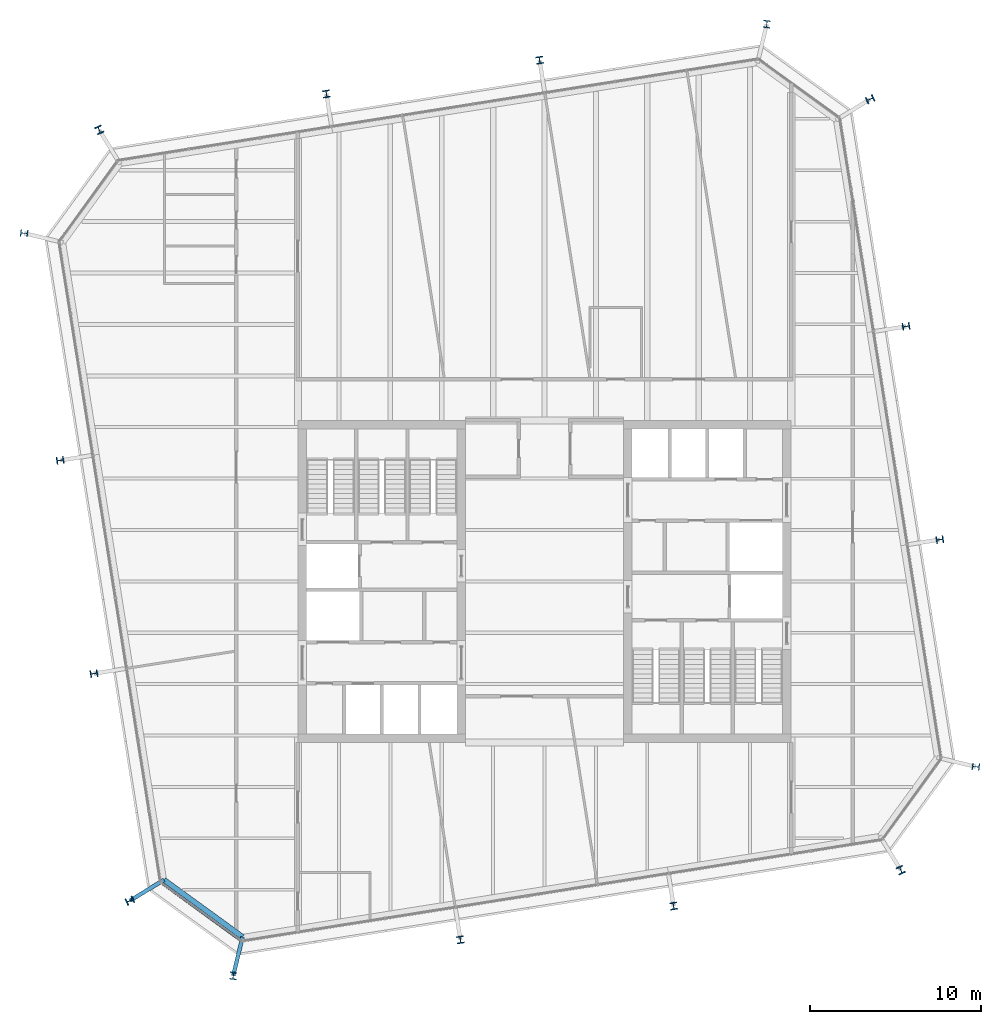
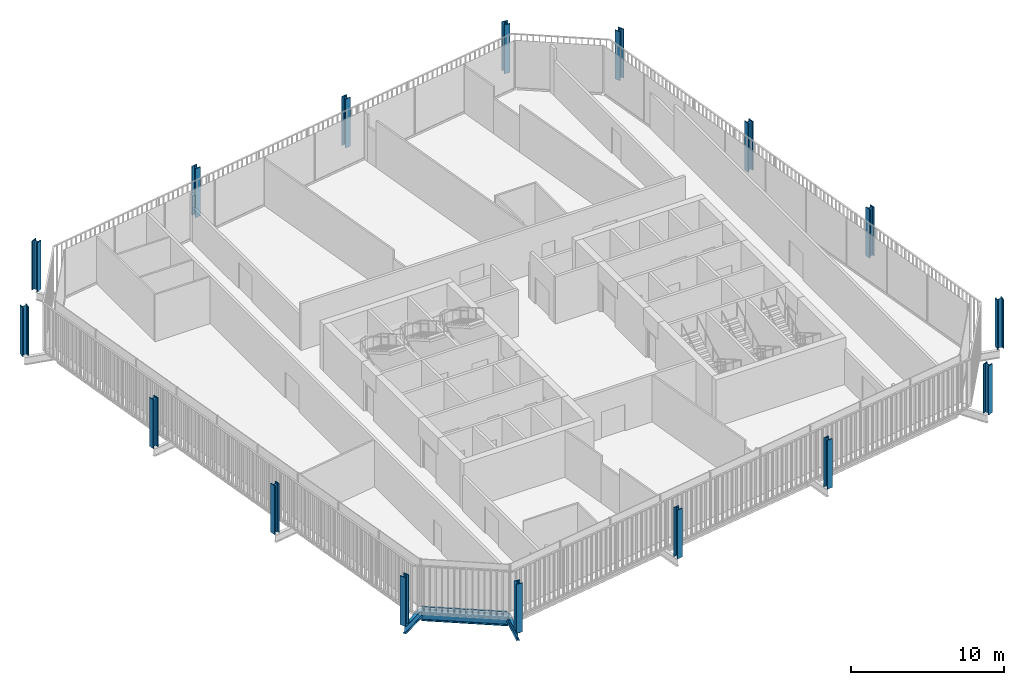
# One storey, part 1 of 20: 16 columns, 3 beams, 1 member, 1 element without a shape of its own.
"""IFC4 building model written with IfcOpenShell, lengths in metres."""

from ifc_helpers import new_model, si_unit, direction, frame, origin, origin_2d, place, context, subcontext, project, spatial, rectangle, i_section, extrude, material, layer, layer_set, material_profile, profile_set, type_object, element, aggregate, save


model = new_model("IFC4")

# Units and contexts
model_context = context("Model", 3, precision=1e-05, world=origin(), true_north=direction((0.0, 1.0)))
body_context = subcontext(model_context, "Body", "Model", "MODEL_VIEW")
ifc_project = project(units=[si_unit("LENGTHUNIT", "METRE"), si_unit("AREAUNIT", "SQUARE_METRE"), si_unit("VOLUMEUNIT", "CUBIC_METRE"), si_unit("PLANEANGLEUNIT", "RADIAN"), si_unit("MASSUNIT", "GRAM", prefix="KILO")], contexts=[model_context])

# Site, building, storey
site_placement = place(None, origin())
site = spatial("IfcSite", under=ifc_project, at=site_placement, CompositionType="ELEMENT")
building_placement = place(site_placement, origin())
building = spatial("IfcBuilding", under=site, at=building_placement, Name="Millrace Tower", CompositionType="ELEMENT")
storey_placement = place(building_placement, frame((0.0, 0.0, 251.300048828125)))
storey = spatial("IfcBuildingStorey", under=building, at=storey_placement, Name="L57", CompositionType="ELEMENT", Elevation=251.300048828125)

# Columns
ifc_material_1 = material(Name="Steel ASTM A913 Grade 65", Category="steel")
ifc_material_profile_1 = material_profile(ifc_material_1, i_section(OverallWidth=0.408935546875, OverallDepth=0.424072265625, WebThickness=0.03271484375, FlangeThickness=0.052490234375, FilletRadius=0.01513671875, at=origin_2d()))
ifc_profile_set_1 = profile_set([ifc_material_profile_1], Name="Steel ASTM A913 Grade 65")
column_type_1 = type_object("IfcColumnType", Name="Exoskeleton column W14x283", PredefinedType="COLUMN", material=ifc_profile_set_1)
for number, where, z_axis, x_axis, name in (
    (1, (-4.91162109375, -20.927734375, 0.0), (0.0, 0.0, 1.0), (0.987688341035, 0.156434462265, 0.0), "COL-D-L57-X03"),
    (2, (7.533203125, -18.956787109375, 0.0), (0.0, 0.0, 1.0), (0.987688341035, 0.156434462265, 0.0), "COL-D-L57-X04"),
    (3, (23.07763671875, 2.4384765625, 0.0), (0.0, 0.0, 1.0), (-0.156434462265, 0.987688341035, 0.0), "COL-D-L57-X07"),
    (4, (21.106689453125, 14.88330078125, 0.0), (0.0, 0.0, 1.0), (-0.156434462265, 0.987688341035, 0.0), "COL-D-L57-X08"),
    (5, (-0.288330078125, 30.427734375, 0.0), (0.0, 0.0, 1.0), (-0.987688341035, -0.156434462265, 0.0), "COL-D-L57-X11"),
    (6, (-12.7333984375, 28.456787109375, 0.0), (0.0, 0.0, 1.0), (-0.987688341035, -0.156434462265, 0.0), "COL-D-L57-X12"),
    (7, (-28.27783203125, 7.0615234375, 0.0), (0.0, 0.0, 1.0), (0.156434462265, -0.987688341035, 0.0), "COL-D-L57-X15"),
    (8, (-26.306640625, -5.38330078125, 0.0), (0.0, 0.0, 1.0), (0.156434462265, -0.987688341035, 0.0), "COL-D-L57-X16"),
):
    element("IfcColumn", number, at=place(storey_placement, frame(where, z_axis=z_axis, x_axis=x_axis)), inside=storey, type_object=column_type_1, Name=name, PredefinedType="COLUMN", context=body_context, shape_type="SweptSolid", body=[
        extrude(i_section(OverallWidth=0.408935546875, OverallDepth=0.424072265625, WebThickness=0.03271484375, FlangeThickness=0.052490234375, FilletRadius=0.01513671875, at=origin_2d()), origin(), (0.0, 0.0, 1.0), 3.89990234375),
    ])
ifc_material_2 = material(Name="Steel ASTM A913 Grade 65", Category="steel")
ifc_material_profile_2 = material_profile(ifc_material_2, i_section(OverallWidth=0.41650390625, OverallDepth=0.444580078125, WebThickness=0.0390625, FlangeThickness=0.062744140625, FilletRadius=0.01513671875, at=origin_2d()))
ifc_profile_set_2 = profile_set([ifc_material_profile_2], Name="Steel ASTM A913 Grade 65")
column_type_2 = type_object("IfcColumnType", Name="Exoskeleton column W14x342", PredefinedType="COLUMN", material=ifc_profile_set_2)
for number, where, z_axis, x_axis, name in (
    (9, (-24.2060546875, -18.646484375, 0.0), (0.0, 0.0, 1.0), (0.418552981224, -0.908192381552, 0.0), "COL-D-L57-X01"),
    (10, (-18.174560546875, -23.0283203125, 0.0), (0.0, 0.0, 1.0), (0.993082267365, -0.117420655103, 0.0), "COL-D-L57-X02"),
    (11, (20.79638671875, -16.85595703125, 0.0), (0.0, 0.0, 1.0), (0.908192381552, 0.418552981224, 0.0), "COL-D-L57-X05"),
    (12, (25.178466796875, -10.82470703125, 0.0), (0.0, 0.0, 1.0), (0.117420655103, 0.993082267365, 0.0), "COL-D-L57-X06"),
    (13, (19.006103515625, 28.146484375, 0.0), (0.0, 0.0, 1.0), (-0.418552981224, 0.908192381552, 0.0), "COL-D-L57-X09"),
    (14, (12.974609375, 32.5283203125, 0.0), (0.0, 0.0, 1.0), (-0.993082267365, 0.117420655103, 0.0), "COL-D-L57-X10"),
    (15, (-25.996337890625, 26.35595703125, 0.0), (0.0, 0.0, 1.0), (-0.908192381552, -0.418552981224, 0.0), "COL-D-L57-X13"),
    (16, (-30.37841796875, 20.32470703125, 0.0), (0.0, 0.0, 1.0), (-0.117420655103, -0.993082267365, 0.0), "COL-D-L57-X14"),
):
    element("IfcColumn", number, at=place(storey_placement, frame(where, z_axis=z_axis, x_axis=x_axis)), inside=storey, type_object=column_type_2, Name=name, PredefinedType="COLUMN", context=body_context, shape_type="SweptSolid", body=[
        extrude(i_section(OverallWidth=0.41650390625, OverallDepth=0.444580078125, WebThickness=0.0390625, FlangeThickness=0.062744140625, FilletRadius=0.01513671875, at=origin_2d()), origin(), (0.0, 0.0, 1.0), 3.89990234375),
    ])

# Curtain wall, member
ifc_material_3 = material(Name="Aluminium and glass", Category="aluminium")
ifc_layer = layer(ifc_material_3, 0.14990234375)
ifc_layer_set = layer_set([ifc_layer], Name="Aluminium and glass")
curtain_wall_type = type_object("IfcCurtainWallType", Name="CW-1 office vision curtain wall", PredefinedType="NOTDEFINED", material=ifc_layer_set)
curtain_wall_placement = place(storey_placement, origin())
curtain_wall = element("IfcCurtainWall", 17, at=curtain_wall_placement, inside=storey, type_object=curtain_wall_type, Name="Curtain wall D-F01 L57", PredefinedType="NOTDEFINED")
ifc_material_4 = material(Name="Aluminium", Category="aluminium")
ifc_material_profile_3 = material_profile(ifc_material_4, rectangle(XDim=0.14990234375, YDim=0.139892578125, at=origin_2d()))
ifc_profile_set_3 = profile_set([ifc_material_profile_3], Name="Aluminium")
member_type = type_object("IfcMemberType", Name="CW-1 office vision curtain wall transom", PredefinedType="USERDEFINED", material=ifc_profile_set_3)
member_placement = place(storey_placement, frame((-22.323486328125, -17.634765625, 0.070068359375), z_axis=(0.809033935994, -0.587761933448, 0.0), x_axis=(0.587761933448, 0.809033935994, 0.0)))
member = element("IfcMember", 18, at=member_placement, type_object=member_type, Name="CW1 transom D-F01.1", ObjectType="TRANSOM", PredefinedType="USERDEFINED", context=body_context, shape_type="SweptSolid", body=[
    extrude(rectangle(XDim=0.14990234375, YDim=0.139892578125, at=origin_2d()), origin(), (0.0, 0.0, 1.0), 5.598388671875),
])
aggregate(curtain_wall, [member])

# Beams
ifc_material_5 = material(Name="Steel ASTM A992 Grade 50", Category="steel")
ifc_material_profile_4 = material_profile(ifc_material_5, i_section(OverallWidth=0.23046875, OverallDepth=0.6171875, WebThickness=0.01318359375, FlangeThickness=0.022216796875, FilletRadius=0.012939453125, at=origin_2d()))
ifc_profile_set_4 = profile_set([ifc_material_profile_4], Name="Steel ASTM A992 Grade 50")
beam_type_1 = type_object("IfcBeamType", Name="Link beam W24x94", PredefinedType="BEAM", material=ifc_profile_set_4)
for number, where, z_axis, x_axis, name in (
    (19, (-22.218505859375, -17.428466796875, -0.46875), (-0.852631355792, -0.522512938711, 0.0), (0.522512938711, -0.852631355792, 0.0), "LNK-D-L57-S1-01"),
    (20, (-17.63037109375, -20.76171875, -0.46875), (-0.233456138164, -0.972367333652, 0.0), (0.972367333652, -0.233456138164, 0.0), "LNK-D-L57-S1-16"),
):
    element("IfcBeam", number, at=place(storey_placement, frame(where, z_axis=z_axis, x_axis=x_axis)), inside=storey, type_object=beam_type_1, Name=name, PredefinedType="BEAM", context=body_context, shape_type="SweptSolid", body=[
        extrude(i_section(OverallWidth=0.23046875, OverallDepth=0.6171875, WebThickness=0.01318359375, FlangeThickness=0.022216796875, FilletRadius=0.012939453125, at=origin_2d()), origin(), (0.0, 0.0, 1.0), 2.3310546875),
    ])
ifc_material_6 = material(Name="Steel ASTM A992 Grade 50", Category="steel")
ifc_material_profile_5 = material_profile(ifc_material_6, i_section(OverallWidth=0.307373046875, OverallDepth=0.927001953125, WebThickness=0.01953125, FlangeThickness=0.031982421875, FilletRadius=0.01904296875, at=origin_2d()))
ifc_profile_set_5 = profile_set([ifc_material_profile_5], Name="Steel ASTM A992 Grade 50")
beam_type_2 = type_object("IfcBeamType", Name="Ring beam short span W36x194", PredefinedType="SPANDREL", material=ifc_profile_set_5)
beam_placement = place(storey_placement, frame((-17.63037109375, -20.76171875, -0.62353515625), z_axis=(-0.809035699289, 0.587759506326, 0.0), x_axis=(-0.587759506326, -0.809035699289, 0.0)))
element("IfcBeam", 21, at=beam_placement, inside=storey, type_object=beam_type_2, Name="RNG-D-L57-S1-16", PredefinedType="SPANDREL", context=body_context, shape_type="SweptSolid", body=[
    extrude(i_section(OverallWidth=0.307373046875, OverallDepth=0.927001953125, WebThickness=0.01953125, FlangeThickness=0.031982421875, FilletRadius=0.01904296875, at=origin_2d()), origin(), (0.0, 0.0, 1.0), 5.671142578125),
])

save(model, "model.ifc")
